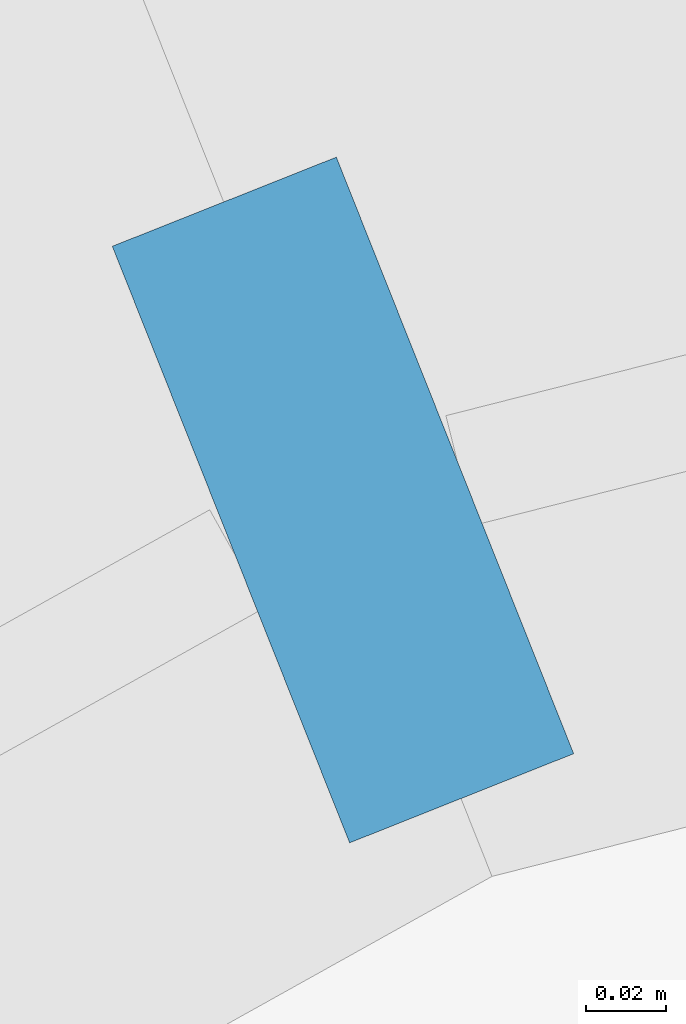
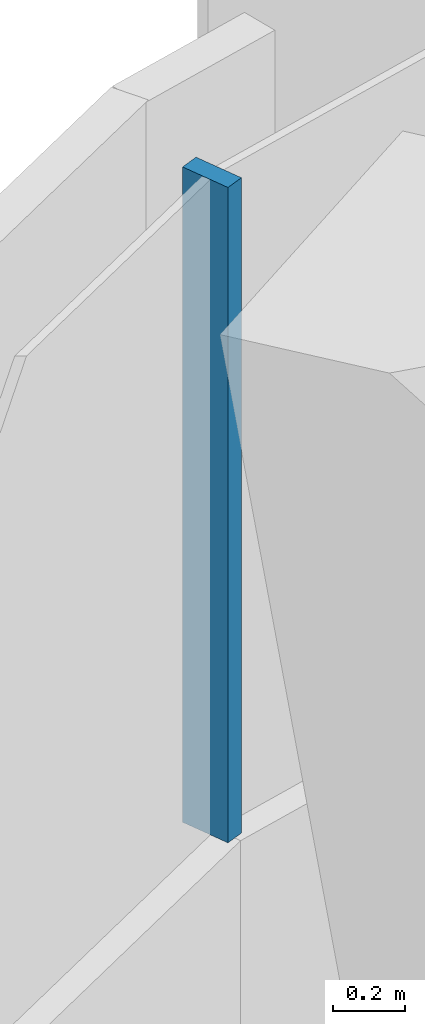
# One storey, part 18 of 34: 1 member, 1 element without a shape of its own.
"""IFC4 building model written with IfcOpenShell, lengths in metres."""

import ifcopenshell
import ifcopenshell.guid

model = None  # the IFC model being written
_history = None  # IfcOwnerHistory: only IFC2X3 demands one
_inside = {}  # id of a spatial element -> (the spatial element, [elements in it])
_under = {}  # id of a project, library or spatial element -> (it, [spatial elements below it])
_declared = {}  # id of a project -> (the project, [libraries it declares])
_typed = {}  # id of a type object -> (the type object, [elements of that type])
_made_of = {}  # id of a material, layer set ... -> (it, [elements and type objects made of it])


def new_model(schema):
    """Start an empty IFC model of exactly this schema.

    Asked for "IFC4X3", IfcOpenShell would pick the latest addendum, in which some entities
    have other attributes; the version numbers below select the first issue.
    IFC2X3 requires an IfcOwnerHistory on every rooted entity: one is made here for all.
    """
    global model, _history
    if schema == "IFC4X3":
        model = ifcopenshell.file(schema_version=(4, 3, 0, 0))
    else:
        model = ifcopenshell.file(schema=schema)
    _inside.clear()
    _under.clear()
    _declared.clear()
    _typed.clear()
    _made_of.clear()
    _history = None
    if model.schema == "IFC2X3":
        org = make("IfcOrganization", Name="unknown")
        user = make(
            "IfcPersonAndOrganization",
            ThePerson=make("IfcPerson", FamilyName="unknown"),
            TheOrganization=org,
        )
        app = make(
            "IfcApplication",
            ApplicationDeveloper=org,
            Version="unknown",
            ApplicationFullName="unknown",
            ApplicationIdentifier="unknown",
        )
        _history = make(
            "IfcOwnerHistory",
            OwningUser=user,
            OwningApplication=app,
            ChangeAction="ADDED",
            CreationDate=0,
        )
    return model


def make(cls, **values):
    """One entity of the class cls with the attributes given. An attribute that is None is left unset."""
    return model.create_entity(
        cls, **{name: value for name, value in values.items() if value is not None}
    )


def rooted(cls, **values):
    """An entity with a GlobalId (a new one), such as an element, a storey or a relation."""
    return make(cls, GlobalId=ifcopenshell.guid.new(), OwnerHistory=_history, **values)


def si_unit(unit_type, name, prefix=None):
    """IfcSIUnit, for example si_unit("LENGTHUNIT", "METRE", prefix="MILLI")."""
    return make("IfcSIUnit", UnitType=unit_type, Prefix=prefix, Name=name)


def assignment(units):
    """IfcUnitAssignment: the units of a project."""
    return None if units is None else make("IfcUnitAssignment", Units=units)


def point(xyz):
    """IfcCartesianPoint."""
    return None if xyz is None else make("IfcCartesianPoint", Coordinates=xyz)


def direction(xyz):
    """IfcDirection."""
    return None if xyz is None else make("IfcDirection", DirectionRatios=xyz)


def frame(location, z_axis=None, x_axis=None):
    """IfcAxis2Placement3D, a coordinate frame: its origin and axes. An axis left out is left unset."""
    return make(
        "IfcAxis2Placement3D",
        Location=point(location),
        Axis=direction(z_axis),
        RefDirection=direction(x_axis),
    )


def frame_2d(location, x_axis=None):
    """IfcAxis2Placement2D, a coordinate frame in the plane: its origin and x axis."""
    return make(
        "IfcAxis2Placement2D", Location=point(location), RefDirection=direction(x_axis)
    )


def origin():
    """The frame at (0, 0, 0) with its axes left unset."""
    return frame((0.0, 0.0, 0.0))


def origin_2d():
    """The frame at (0, 0) in the plane with its x axis left unset."""
    return frame_2d((0.0, 0.0))


def place(relative_to, where):
    """IfcLocalPlacement: puts the frame where relative to a parent placement (None: the world)."""
    return make(
        "IfcLocalPlacement", PlacementRelTo=relative_to, RelativePlacement=where
    )


def context(
    kind, dimensions, precision=None, world=None, true_north=None, identifier=None
):
    """IfcGeometricRepresentationContext, for example the 3D "Model" context."""
    return make(
        "IfcGeometricRepresentationContext",
        ContextIdentifier=identifier,
        ContextType=kind,
        CoordinateSpaceDimension=dimensions,
        Precision=precision,
        WorldCoordinateSystem=world,
        TrueNorth=true_north,
    )


def subcontext(parent, identifier, kind, view, scale=None):
    """IfcGeometricRepresentationSubContext, for example "Body" below "Model"."""
    return make(
        "IfcGeometricRepresentationSubContext",
        ContextIdentifier=identifier,
        ContextType=kind,
        ParentContext=parent,
        TargetScale=scale,
        TargetView=view,
    )


def project(units=None, contexts=None):
    """IfcProject with its units and contexts."""
    return rooted(
        "IfcProject",
        Name="project",
        RepresentationContexts=contexts,
        UnitsInContext=assignment(units),
    )


def spatial(cls, under=None, at=None, **own):
    """A site, building, storey or space (cls), placed at a placement, below another one or the project."""
    s = rooted(cls, ObjectPlacement=at, **own)
    if under is not None:
        _under.setdefault(under.id(), (under, []))[1].append(s)
    return s


def profile(cls, at=None, kind="AREA", **sizes):
    """A parametric profile (cls). Its sizes go by their IFC names, for example OverallWidth=200.0."""
    return make(cls, ProfileType=kind, Position=at, **sizes)


def rectangle(**sizes):
    """IfcRectangleProfileDef."""
    return profile("IfcRectangleProfileDef", **sizes)


def extrude(swept, where, along, depth):
    """IfcExtrudedAreaSolid: the profile swept, set in the frame where, extruded along a direction by depth."""
    return make(
        "IfcExtrudedAreaSolid",
        SweptArea=swept,
        Position=where,
        ExtrudedDirection=direction(along),
        Depth=depth,
    )


def shape(context_of_items, identifier, shape_type, items):
    """IfcShapeRepresentation: the items that make up one representation, for example the "Body"."""
    return make(
        "IfcShapeRepresentation",
        ContextOfItems=context_of_items,
        RepresentationIdentifier=identifier,
        RepresentationType=shape_type,
        Items=items,
    )


def material(Name=None, Category=None):
    """IfcMaterial."""
    return make("IfcMaterial", Name=Name, Category=Category)


def layer(
    of_material, thickness, ventilated=None, Name=None, Category=None, Priority=None
):
    """IfcMaterialLayer: one layer of a wall or slab, of a material (None: an air gap)."""
    return make(
        "IfcMaterialLayer",
        Material=of_material,
        LayerThickness=thickness,
        IsVentilated=ventilated,
        Name=Name,
        Category=Category,
        Priority=Priority,
    )


def layer_set(layers, Name=None):
    """IfcMaterialLayerSet."""
    return make("IfcMaterialLayerSet", MaterialLayers=layers, LayerSetName=Name)


def material_profile(
    of_material, cross_section, Name=None, Category=None, Priority=None
):
    """IfcMaterialProfile: a cross section and its material."""
    return make(
        "IfcMaterialProfile",
        Name=Name,
        Material=of_material,
        Profile=cross_section,
        Priority=Priority,
        Category=Category,
    )


def profile_set(profiles, Name=None, composite=None):
    """IfcMaterialProfileSet."""
    return make(
        "IfcMaterialProfileSet",
        Name=Name,
        MaterialProfiles=profiles,
        CompositeProfile=composite,
    )


def made_of(thing, what):
    """Note that an element or type object is made of a material, layer set ...; save() writes the relation."""
    if what is not None:
        _made_of.setdefault(what.id(), (what, []))[1].append(thing)
    return thing


def type_object(cls, material=None, **own):
    """A type object (cls), such as IfcWallType, which elements share."""
    return made_of(rooted(cls, **own), material)


def element(
    cls,
    number,
    at=None,
    inside=None,
    cuts=None,
    type_object=None,
    material=None,
    context=None,
    identifier="Body",
    shape_type=None,
    held_by="IfcProductDefinitionShape",
    body=None,
    shapes=None,
    **own,
):
    """One element of the class cls, such as IfcWall. Its Tag is "e" and its number.

    at: its placement. inside: the storey or other place that contains it. cuts: it is an
    opening in that element (IfcRelVoidsElement). A single representation is given by context,
    identifier, shape_type and body (its items); several are given by shapes. held_by: the class
    of the entity that holds the representations. save() writes the other relations.
    """
    e = rooted(cls, Tag="e%d" % number, ObjectPlacement=at, **own)
    if body is not None:
        shapes = [shape(context, identifier, shape_type, body)]
    if shapes is not None:
        e.Representation = make(held_by, Representations=shapes)
    if inside is not None:
        _inside.setdefault(inside.id(), (inside, []))[1].append(e)
    if cuts is not None:
        rooted(
            "IfcRelVoidsElement", RelatingBuildingElement=cuts, RelatedOpeningElement=e
        )
    if type_object is not None:
        _typed.setdefault(type_object.id(), (type_object, []))[1].append(e)
    return made_of(e, material)


def aggregate(whole, parts):
    """IfcRelAggregates: a whole, such as a stair, and the parts it consists of."""
    return rooted("IfcRelAggregates", RelatingObject=whole, RelatedObjects=parts)


def save(model, path):
    """Write the relations noted so far, then the file.

    IfcRelAggregates (storeys below a building ...), IfcRelContainedInSpatialStructure (elements
    in a storey), IfcRelDefinesByType, IfcRelAssociatesMaterial and IfcRelDeclares: one each for
    every whole, place, type object, material and project.
    """
    for whole, parts in _under.values():
        aggregate(whole, parts)
    for where, things in _inside.values():
        rooted(
            "IfcRelContainedInSpatialStructure",
            RelatedElements=things,
            RelatingStructure=where,
        )
    for kind, things in _typed.values():
        rooted("IfcRelDefinesByType", RelatedObjects=things, RelatingType=kind)
    for what, things in _made_of.values():
        rooted("IfcRelAssociatesMaterial", RelatedObjects=things, RelatingMaterial=what)
    for by, libraries in _declared.values():
        rooted("IfcRelDeclares", RelatingContext=by, RelatedDefinitions=libraries)
    model.write(path)


model = new_model("IFC4")

# Units and contexts
model_context = context("Model", 3, precision=1e-05, world=origin(), true_north=direction((0.0, 1.0)))
body_context = subcontext(model_context, "Body", "Model", "MODEL_VIEW")
ifc_project = project(units=[si_unit("LENGTHUNIT", "METRE"), si_unit("AREAUNIT", "SQUARE_METRE"), si_unit("VOLUMEUNIT", "CUBIC_METRE"), si_unit("PLANEANGLEUNIT", "RADIAN"), si_unit("MASSUNIT", "GRAM", prefix="KILO")], contexts=[model_context])

# Site, building, storey
site_placement = place(None, origin())
site = spatial("IfcSite", under=ifc_project, at=site_placement, CompositionType="ELEMENT")
building_placement = place(site_placement, origin())
building = spatial("IfcBuilding", under=site, at=building_placement, Name="Tamarind Cross Interchange Tower", CompositionType="ELEMENT")
storey_placement = place(building_placement, frame((0.0, 0.0, 140.5)))
storey = spatial("IfcBuildingStorey", under=building, at=storey_placement, Name="L34", CompositionType="ELEMENT", Elevation=140.5)

# Curtain wall, member
ifc_material = material(Name="Aluminium 6063-T6", Category="aluminium")
ifc_layer = layer(ifc_material, 0.159912109375)
ifc_layer_set = layer_set([ifc_layer], Name="Aluminium 6063-T6")
curtain_wall_type = type_object("IfcCurtainWallType", Name="Office curtain wall, 9.0 m bays", PredefinedType="NOTDEFINED", material=ifc_layer_set)
curtain_wall_placement = place(storey_placement, origin())
curtain_wall = element("IfcCurtainWall", 1, at=curtain_wall_placement, inside=storey, type_object=curtain_wall_type, Name="CWS-L34-09", PredefinedType="NOTDEFINED")
ifc_material_profile = material_profile(ifc_material, rectangle(XDim=0.06005859375, YDim=0.159912109375, at=origin_2d()), Name="Mullion CW1")
ifc_profile_set = profile_set([ifc_material_profile], Name="Aluminium 6063-T6")
member_type = type_object("IfcMemberType", Name="Mullion CW1", PredefinedType="MULLION", material=ifc_profile_set)
member_placement = place(storey_placement, frame((40.944091796875, 18.4052734375, 1.39990234375), z_axis=(0.0, 0.0, 1.0), x_axis=(-0.929157147262, -0.369684995222, 0.0)))
member = element("IfcMember", 2, at=member_placement, type_object=member_type, Name="CWM-L34-09-00", PredefinedType="MULLION", context=body_context, shape_type="SweptSolid", body=[
    extrude(rectangle(XDim=0.06005859375, YDim=0.159912109375, at=origin_2d()), origin(), (0.0, 0.0, 1.0), 2.210205078125),
])
aggregate(curtain_wall, [member])

save(model, "model.ifc")
